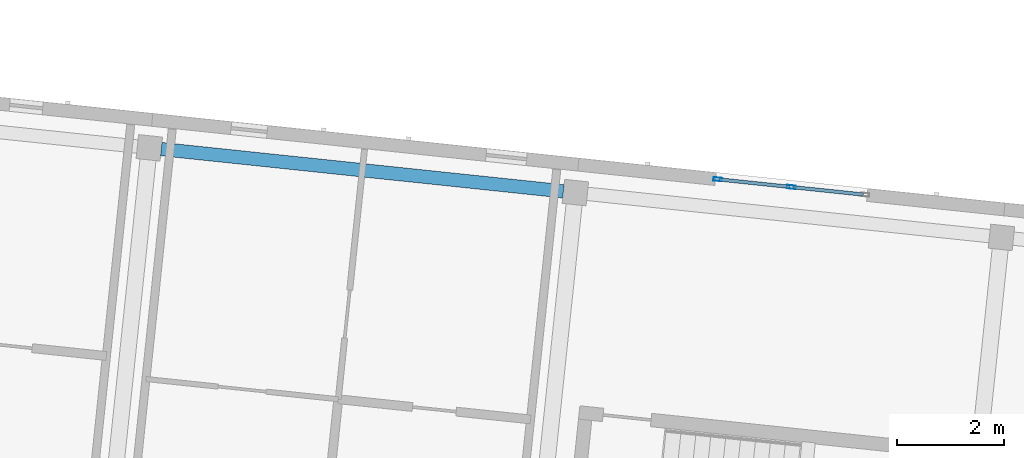
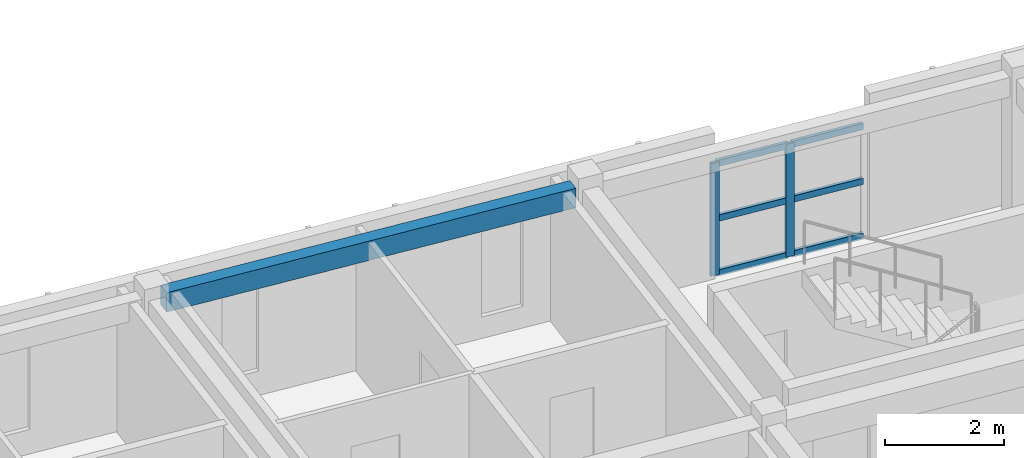
# One storey, part 12 of 45: 8 members, 1 beam, 1 element without a shape of its own.
"""IFC4 building model written with IfcOpenShell, lengths in metres."""

import ifcopenshell
import ifcopenshell.guid

model = None  # the IFC model being written
_history = None  # IfcOwnerHistory: only IFC2X3 demands one
_inside = {}  # id of a spatial element -> (the spatial element, [elements in it])
_under = {}  # id of a project, library or spatial element -> (it, [spatial elements below it])
_declared = {}  # id of a project -> (the project, [libraries it declares])
_typed = {}  # id of a type object -> (the type object, [elements of that type])
_made_of = {}  # id of a material, layer set ... -> (it, [elements and type objects made of it])


def new_model(schema):
    """Start an empty IFC model of exactly this schema.

    Asked for "IFC4X3", IfcOpenShell would pick the latest addendum, in which some entities
    have other attributes; the version numbers below select the first issue.
    IFC2X3 requires an IfcOwnerHistory on every rooted entity: one is made here for all.
    """
    global model, _history
    if schema == "IFC4X3":
        model = ifcopenshell.file(schema_version=(4, 3, 0, 0))
    else:
        model = ifcopenshell.file(schema=schema)
    _inside.clear()
    _under.clear()
    _declared.clear()
    _typed.clear()
    _made_of.clear()
    _history = None
    if model.schema == "IFC2X3":
        org = make("IfcOrganization", Name="unknown")
        user = make(
            "IfcPersonAndOrganization",
            ThePerson=make("IfcPerson", FamilyName="unknown"),
            TheOrganization=org,
        )
        app = make(
            "IfcApplication",
            ApplicationDeveloper=org,
            Version="unknown",
            ApplicationFullName="unknown",
            ApplicationIdentifier="unknown",
        )
        _history = make(
            "IfcOwnerHistory",
            OwningUser=user,
            OwningApplication=app,
            ChangeAction="ADDED",
            CreationDate=0,
        )
    return model


def make(cls, **values):
    """One entity of the class cls with the attributes given. An attribute that is None is left unset."""
    return model.create_entity(
        cls, **{name: value for name, value in values.items() if value is not None}
    )


def rooted(cls, **values):
    """An entity with a GlobalId (a new one), such as an element, a storey or a relation."""
    return make(cls, GlobalId=ifcopenshell.guid.new(), OwnerHistory=_history, **values)


def si_unit(unit_type, name, prefix=None):
    """IfcSIUnit, for example si_unit("LENGTHUNIT", "METRE", prefix="MILLI")."""
    return make("IfcSIUnit", UnitType=unit_type, Prefix=prefix, Name=name)


def assignment(units):
    """IfcUnitAssignment: the units of a project."""
    return None if units is None else make("IfcUnitAssignment", Units=units)


def point(xyz):
    """IfcCartesianPoint."""
    return None if xyz is None else make("IfcCartesianPoint", Coordinates=xyz)


def direction(xyz):
    """IfcDirection."""
    return None if xyz is None else make("IfcDirection", DirectionRatios=xyz)


def frame(location, z_axis=None, x_axis=None):
    """IfcAxis2Placement3D, a coordinate frame: its origin and axes. An axis left out is left unset."""
    return make(
        "IfcAxis2Placement3D",
        Location=point(location),
        Axis=direction(z_axis),
        RefDirection=direction(x_axis),
    )


def frame_2d(location, x_axis=None):
    """IfcAxis2Placement2D, a coordinate frame in the plane: its origin and x axis."""
    return make(
        "IfcAxis2Placement2D", Location=point(location), RefDirection=direction(x_axis)
    )


def origin():
    """The frame at (0, 0, 0) with its axes left unset."""
    return frame((0.0, 0.0, 0.0))


def origin_2d():
    """The frame at (0, 0) in the plane with its x axis left unset."""
    return frame_2d((0.0, 0.0))


def place(relative_to, where):
    """IfcLocalPlacement: puts the frame where relative to a parent placement (None: the world)."""
    return make(
        "IfcLocalPlacement", PlacementRelTo=relative_to, RelativePlacement=where
    )


def context(
    kind, dimensions, precision=None, world=None, true_north=None, identifier=None
):
    """IfcGeometricRepresentationContext, for example the 3D "Model" context."""
    return make(
        "IfcGeometricRepresentationContext",
        ContextIdentifier=identifier,
        ContextType=kind,
        CoordinateSpaceDimension=dimensions,
        Precision=precision,
        WorldCoordinateSystem=world,
        TrueNorth=true_north,
    )


def subcontext(parent, identifier, kind, view, scale=None):
    """IfcGeometricRepresentationSubContext, for example "Body" below "Model"."""
    return make(
        "IfcGeometricRepresentationSubContext",
        ContextIdentifier=identifier,
        ContextType=kind,
        ParentContext=parent,
        TargetScale=scale,
        TargetView=view,
    )


def project(units=None, contexts=None):
    """IfcProject with its units and contexts."""
    return rooted(
        "IfcProject",
        Name="project",
        RepresentationContexts=contexts,
        UnitsInContext=assignment(units),
    )


def spatial(cls, under=None, at=None, **own):
    """A site, building, storey or space (cls), placed at a placement, below another one or the project."""
    s = rooted(cls, ObjectPlacement=at, **own)
    if under is not None:
        _under.setdefault(under.id(), (under, []))[1].append(s)
    return s


def profile(cls, at=None, kind="AREA", **sizes):
    """A parametric profile (cls). Its sizes go by their IFC names, for example OverallWidth=200.0."""
    return make(cls, ProfileType=kind, Position=at, **sizes)


def rectangle(**sizes):
    """IfcRectangleProfileDef."""
    return profile("IfcRectangleProfileDef", **sizes)


def hollow_rectangle(**sizes):
    """IfcRectangleHollowProfileDef."""
    return profile("IfcRectangleHollowProfileDef", **sizes)


def extrude(swept, where, along, depth):
    """IfcExtrudedAreaSolid: the profile swept, set in the frame where, extruded along a direction by depth."""
    return make(
        "IfcExtrudedAreaSolid",
        SweptArea=swept,
        Position=where,
        ExtrudedDirection=direction(along),
        Depth=depth,
    )


def shape(context_of_items, identifier, shape_type, items):
    """IfcShapeRepresentation: the items that make up one representation, for example the "Body"."""
    return make(
        "IfcShapeRepresentation",
        ContextOfItems=context_of_items,
        RepresentationIdentifier=identifier,
        RepresentationType=shape_type,
        Items=items,
    )


def material(Name=None, Category=None):
    """IfcMaterial."""
    return make("IfcMaterial", Name=Name, Category=Category)


def material_profile(
    of_material, cross_section, Name=None, Category=None, Priority=None
):
    """IfcMaterialProfile: a cross section and its material."""
    return make(
        "IfcMaterialProfile",
        Name=Name,
        Material=of_material,
        Profile=cross_section,
        Priority=Priority,
        Category=Category,
    )


def profile_set(profiles, Name=None, composite=None):
    """IfcMaterialProfileSet."""
    return make(
        "IfcMaterialProfileSet",
        Name=Name,
        MaterialProfiles=profiles,
        CompositeProfile=composite,
    )


def made_of(thing, what):
    """Note that an element or type object is made of a material, layer set ...; save() writes the relation."""
    if what is not None:
        _made_of.setdefault(what.id(), (what, []))[1].append(thing)
    return thing


def type_object(cls, material=None, **own):
    """A type object (cls), such as IfcWallType, which elements share."""
    return made_of(rooted(cls, **own), material)


def element(
    cls,
    number,
    at=None,
    inside=None,
    cuts=None,
    type_object=None,
    material=None,
    context=None,
    identifier="Body",
    shape_type=None,
    held_by="IfcProductDefinitionShape",
    body=None,
    shapes=None,
    **own,
):
    """One element of the class cls, such as IfcWall. Its Tag is "e" and its number.

    at: its placement. inside: the storey or other place that contains it. cuts: it is an
    opening in that element (IfcRelVoidsElement). A single representation is given by context,
    identifier, shape_type and body (its items); several are given by shapes. held_by: the class
    of the entity that holds the representations. save() writes the other relations.
    """
    e = rooted(cls, Tag="e%d" % number, ObjectPlacement=at, **own)
    if body is not None:
        shapes = [shape(context, identifier, shape_type, body)]
    if shapes is not None:
        e.Representation = make(held_by, Representations=shapes)
    if inside is not None:
        _inside.setdefault(inside.id(), (inside, []))[1].append(e)
    if cuts is not None:
        rooted(
            "IfcRelVoidsElement", RelatingBuildingElement=cuts, RelatedOpeningElement=e
        )
    if type_object is not None:
        _typed.setdefault(type_object.id(), (type_object, []))[1].append(e)
    return made_of(e, material)


def aggregate(whole, parts):
    """IfcRelAggregates: a whole, such as a stair, and the parts it consists of."""
    return rooted("IfcRelAggregates", RelatingObject=whole, RelatedObjects=parts)


def save(model, path):
    """Write the relations noted so far, then the file.

    IfcRelAggregates (storeys below a building ...), IfcRelContainedInSpatialStructure (elements
    in a storey), IfcRelDefinesByType, IfcRelAssociatesMaterial and IfcRelDeclares: one each for
    every whole, place, type object, material and project.
    """
    for whole, parts in _under.values():
        aggregate(whole, parts)
    for where, things in _inside.values():
        rooted(
            "IfcRelContainedInSpatialStructure",
            RelatedElements=things,
            RelatingStructure=where,
        )
    for kind, things in _typed.values():
        rooted("IfcRelDefinesByType", RelatedObjects=things, RelatingType=kind)
    for what, things in _made_of.values():
        rooted("IfcRelAssociatesMaterial", RelatedObjects=things, RelatingMaterial=what)
    for by, libraries in _declared.values():
        rooted("IfcRelDeclares", RelatingContext=by, RelatedDefinitions=libraries)
    model.write(path)


model = new_model("IFC4")

# Units and contexts
model_context = context("Model", 3, precision=1e-05, world=origin(), true_north=direction((0.0, 1.0)))
body_context = subcontext(model_context, "Body", "Model", "MODEL_VIEW")
ifc_project = project(units=[si_unit("LENGTHUNIT", "METRE"), si_unit("AREAUNIT", "SQUARE_METRE"), si_unit("VOLUMEUNIT", "CUBIC_METRE"), si_unit("PLANEANGLEUNIT", "RADIAN"), si_unit("MASSUNIT", "GRAM", prefix="KILO")], contexts=[model_context])

# Site, building, storey
site_placement = place(None, origin())
site = spatial("IfcSite", under=ifc_project, at=site_placement, CompositionType="ELEMENT")
building_placement = place(site_placement, origin())
building = spatial("IfcBuilding", under=site, at=building_placement, Name="Kestramere Prow Commons", CompositionType="ELEMENT")
storey_placement = place(building_placement, frame((0.0, 0.0, 31.14990234375)))
storey = spatial("IfcBuildingStorey", under=building, at=storey_placement, Name="L09", CompositionType="ELEMENT", Elevation=31.14990234375)

# Curtain wall, members
ifc_material_1 = material(Name="Anodised Aluminium and Low-E Glass", Category="aluminium")
curtain_wall_type = type_object("IfcCurtainWallType", Name="CW-03 Glazed Curtain Wall 2830x2320", PredefinedType="USERDEFINED", material=ifc_material_1)
curtain_wall_placement = place(storey_placement, origin())
curtain_wall = element("IfcCurtainWall", 1, at=curtain_wall_placement, inside=storey, type_object=curtain_wall_type, Name="Block B L09 Stairwell Vertical Glazing 4", ObjectType="GLAZED CURTAIN WALL", PredefinedType="USERDEFINED")
ifc_material_2 = material(Name="Anodised Aluminium 6063-T6", Category="aluminium")
ifc_material_profile_1 = material_profile(ifc_material_2, hollow_rectangle(XDim=0.06494140625, YDim=0.159912109375, WallThickness=0.00390625, at=origin_2d()), Name="ALU-MUL 65x160")
ifc_profile_set_1 = profile_set([ifc_material_profile_1], Name="Anodised Aluminium 6063-T6")
member_type_1 = type_object("IfcMemberType", Name="CW-MUL-65x160", PredefinedType="MULLION", material=ifc_profile_set_1)
member_1_placement = place(storey_placement, frame((138.575439453125, 112.032470703125, 0.0), z_axis=(0.0, 0.0, 1.0), x_axis=(0.104528618845, 0.994521879016, 0.0)))
member_1 = element("IfcMember", 2, at=member_1_placement, type_object=member_type_1, Name="CW-03 mullion 1", PredefinedType="MULLION", context=body_context, shape_type="SweptSolid", body=[
    extrude(hollow_rectangle(XDim=0.06494140625, YDim=0.159912109375, WallThickness=0.00390625, at=origin_2d()), origin(), (0.0, 0.0, 1.0), 2.320068359375),
])
member_2_placement = place(storey_placement, frame((139.9501953125, 111.887939453125, 0.0), z_axis=(0.0, 0.0, 1.0), x_axis=(0.104528618845, 0.994521879016, 0.0)))
member_2 = element("IfcMember", 3, at=member_2_placement, type_object=member_type_1, Name="CW-03 mullion 2", PredefinedType="MULLION", context=body_context, shape_type="SweptSolid", body=[
    extrude(hollow_rectangle(XDim=0.06494140625, YDim=0.159912109375, WallThickness=0.00390625, at=origin_2d()), origin(), (0.0, 0.0, 1.0), 2.320068359375),
])
ifc_material_profile_2 = material_profile(ifc_material_2, hollow_rectangle(XDim=0.06494140625, YDim=0.1298828125, WallThickness=0.00390625, at=origin_2d()), Name="ALU-TRN 65x130")
ifc_profile_set_2 = profile_set([ifc_material_profile_2], Name="Anodised Aluminium 6063-T6")
member_type_2 = type_object("IfcMemberType", Name="CW-TRN-65x130", PredefinedType="USERDEFINED", material=ifc_profile_set_2)
member_3_placement = place(storey_placement, frame((138.607666015625, 112.029052734375, 0.03271484375), z_axis=(0.994523714271, -0.104511156111, 0.0), x_axis=(0.104511156111, 0.994523714271, 0.0)))
member_3 = element("IfcMember", 4, at=member_3_placement, type_object=member_type_2, Name="CW-03 transom 1.1", ObjectType="TRANSOM", PredefinedType="USERDEFINED", context=body_context, shape_type="SweptSolid", body=[
    extrude(hollow_rectangle(XDim=0.06494140625, YDim=0.1298828125, WallThickness=0.00390625, at=origin_2d()), origin(), (0.0, 0.0, 1.0), 1.317626953125),
])
member_4_placement = place(storey_placement, frame((138.607666015625, 112.029052734375, 1.16015625), z_axis=(0.994523714271, -0.104511156111, 0.0), x_axis=(0.104511156111, 0.994523714271, 0.0)))
member_4 = element("IfcMember", 5, at=member_4_placement, type_object=member_type_2, Name="CW-03 transom 1.2", ObjectType="TRANSOM", PredefinedType="USERDEFINED", context=body_context, shape_type="SweptSolid", body=[
    extrude(hollow_rectangle(XDim=0.06494140625, YDim=0.1298828125, WallThickness=0.00390625, at=origin_2d()), origin(), (0.0, 0.0, 1.0), 1.317626953125),
])
member_5_placement = place(storey_placement, frame((138.607666015625, 112.029052734375, 2.28759765625), z_axis=(0.994523714271, -0.104511156111, 0.0), x_axis=(0.104511156111, 0.994523714271, 0.0)))
member_5 = element("IfcMember", 6, at=member_5_placement, type_object=member_type_2, Name="CW-03 transom 1.3", ObjectType="TRANSOM", PredefinedType="USERDEFINED", context=body_context, shape_type="SweptSolid", body=[
    extrude(hollow_rectangle(XDim=0.06494140625, YDim=0.1298828125, WallThickness=0.00390625, at=origin_2d()), origin(), (0.0, 0.0, 1.0), 1.317626953125),
])
member_6_placement = place(storey_placement, frame((139.982666015625, 111.884521484375, 0.03271484375), z_axis=(0.994523714271, -0.104511156111, 0.0), x_axis=(0.104511156111, 0.994523714271, 0.0)))
member_6 = element("IfcMember", 7, at=member_6_placement, type_object=member_type_2, Name="CW-03 transom 2.1", ObjectType="TRANSOM", PredefinedType="USERDEFINED", context=body_context, shape_type="SweptSolid", body=[
    extrude(hollow_rectangle(XDim=0.06494140625, YDim=0.1298828125, WallThickness=0.00390625, at=origin_2d()), origin(), (0.0, 0.0, 1.0), 1.317626953125),
])
member_7_placement = place(storey_placement, frame((139.982666015625, 111.884521484375, 1.16015625), z_axis=(0.994523714271, -0.104511156111, 0.0), x_axis=(0.104511156111, 0.994523714271, 0.0)))
member_7 = element("IfcMember", 8, at=member_7_placement, type_object=member_type_2, Name="CW-03 transom 2.2", ObjectType="TRANSOM", PredefinedType="USERDEFINED", context=body_context, shape_type="SweptSolid", body=[
    extrude(hollow_rectangle(XDim=0.06494140625, YDim=0.1298828125, WallThickness=0.00390625, at=origin_2d()), origin(), (0.0, 0.0, 1.0), 1.317626953125),
])
member_8_placement = place(storey_placement, frame((139.982666015625, 111.884521484375, 2.28759765625), z_axis=(0.994523714271, -0.104511156111, 0.0), x_axis=(0.104511156111, 0.994523714271, 0.0)))
member_8 = element("IfcMember", 9, at=member_8_placement, type_object=member_type_2, Name="CW-03 transom 2.3", ObjectType="TRANSOM", PredefinedType="USERDEFINED", context=body_context, shape_type="SweptSolid", body=[
    extrude(hollow_rectangle(XDim=0.06494140625, YDim=0.1298828125, WallThickness=0.00390625, at=origin_2d()), origin(), (0.0, 0.0, 1.0), 1.317626953125),
])
aggregate(curtain_wall, [member_1, member_2, member_3, member_4, member_5, member_6, member_7, member_8])

# Beam
ifc_material_3 = material(Name="Precast concrete C40/50", Category="concrete")
ifc_material_profile_3 = material_profile(ifc_material_3, rectangle(XDim=0.25, YDim=0.39990234375, at=origin_2d()), Name="PC-SP 250x400")
ifc_profile_set_3 = profile_set([ifc_material_profile_3], Name="Precast concrete C40/50")
beam_type = type_object("IfcBeamType", Name="SP-EXT-01 PC-SP 250x400", PredefinedType="SPANDREL", material=ifc_profile_set_3)
beam_placement = place(storey_placement, frame((128.184814453125, 112.5966796875, 2.800048828125), z_axis=(0.994520503149, -0.104541708502, 0.0), x_axis=(0.104541708502, 0.994520503149, 0.0)))
element("IfcBeam", 10, at=beam_placement, inside=storey, type_object=beam_type, Name="Block B L09 Longitudinal Beam 4-3", PredefinedType="SPANDREL", context=body_context, shape_type="SweptSolid", body=[
    extrude(rectangle(XDim=0.25, YDim=0.39990234375, at=origin_2d()), origin(), (0.0, 0.0, 1.0), 7.550048828125),
])

save(model, "model.ifc")
